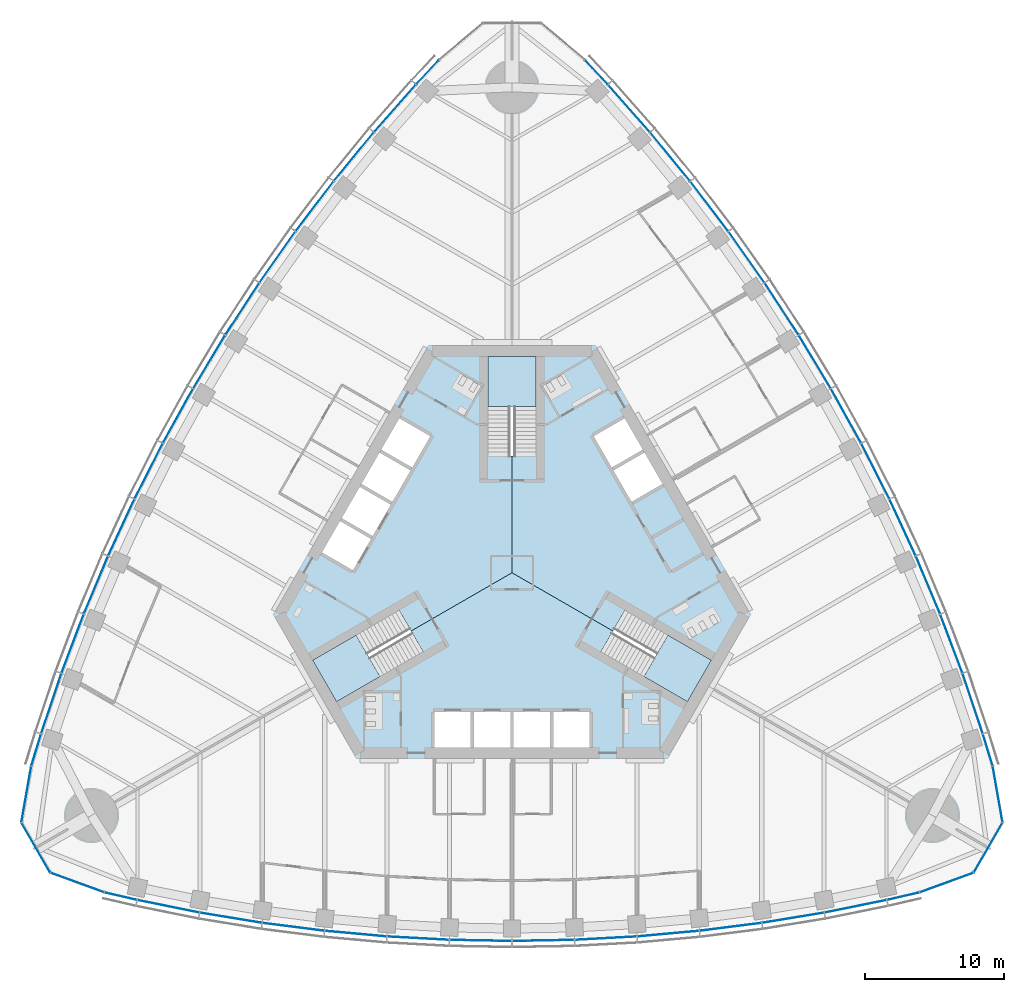
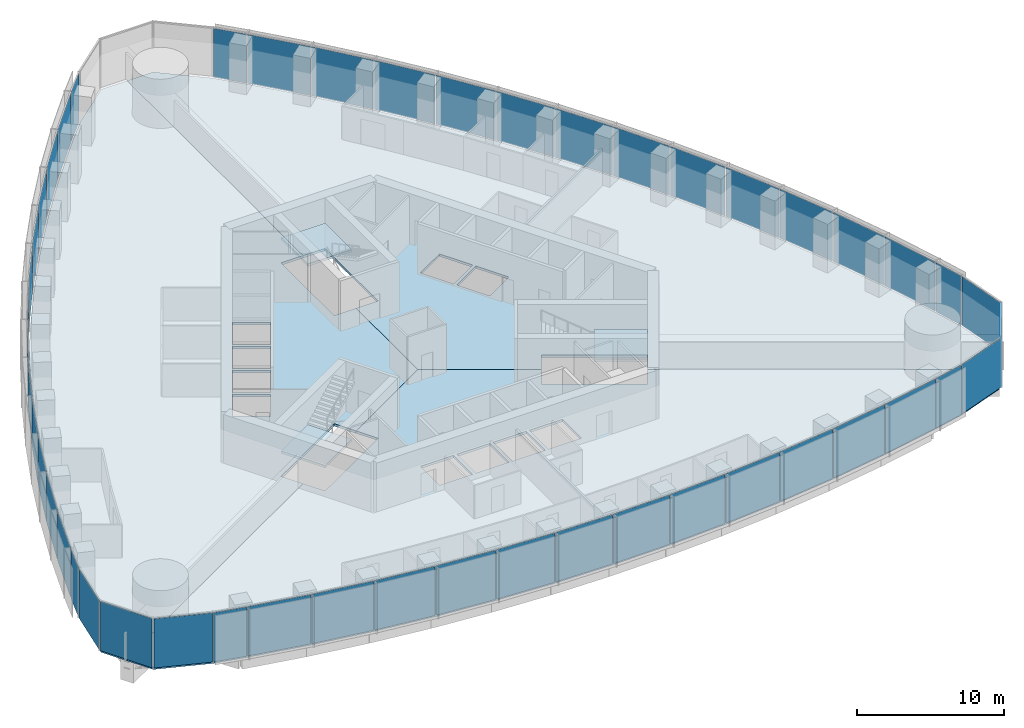
# One storey, part 10 of 19: 48 plates, 6 slabs, 8 elements without a shape of their own.
"""IFC4 building model written with IfcOpenShell, lengths in metres."""

from ifc_helpers import new_model, si_unit, direction, frame, origin, origin_2d, place, context, subcontext, project, spatial, polyline, rectangle, outline, extrude, material, layer, layer_set, type_object, element, aggregate, save


model = new_model("IFC4")

# Units and contexts
model_context = context("Model", 3, precision=1e-05, world=origin(), true_north=direction((0.0, 1.0)))
body_context = subcontext(model_context, "Body", "Model", "MODEL_VIEW")
ifc_project = project(units=[si_unit("LENGTHUNIT", "METRE"), si_unit("AREAUNIT", "SQUARE_METRE"), si_unit("VOLUMEUNIT", "CUBIC_METRE"), si_unit("PLANEANGLEUNIT", "RADIAN"), si_unit("MASSUNIT", "GRAM", prefix="KILO")], contexts=[model_context])

# Site, building, storey
site_placement = place(None, origin())
site = spatial("IfcSite", under=ifc_project, at=site_placement, CompositionType="ELEMENT")
building_placement = place(site_placement, origin())
building = spatial("IfcBuilding", under=site, at=building_placement, Name="Trefoil Bronze Tower", CompositionType="ELEMENT")
storey_placement = place(building_placement, frame((0.0, 0.0, 140.89990234375)))
storey = spatial("IfcBuildingStorey", under=building, at=storey_placement, Name="L32", CompositionType="ELEMENT", Elevation=140.89990234375)

# Curtain wall, plates
ifc_material_1 = material(Name="Tinted solar-control glass", Category="glass")
curtain_wall_type_1 = type_object("IfcCurtainWallType", Name="Bronze office curtain wall", PredefinedType="USERDEFINED", material=ifc_material_1)
curtain_wall_1_placement = place(storey_placement, origin())
curtain_wall_1 = element("IfcCurtainWall", 1, at=curtain_wall_1_placement, inside=storey, type_object=curtain_wall_type_1, Name="CW-A L32 F1", ObjectType="CURTAIN WALL", PredefinedType="USERDEFINED")
ifc_material_2 = material(Name="Tinted solar-control glass", Category="glass")
ifc_layer_1 = layer(ifc_material_2, 0.030029296875)
ifc_layer_set_1 = layer_set([ifc_layer_1], Name="Bronze office curtain wall glass panel")
plate_type_1 = type_object("IfcPlateType", Name="Bronze office curtain wall glass panel", PredefinedType="CURTAIN_PANEL", material=ifc_layer_set_1)
plate_1_placement = place(storey_placement, frame((-28.201416015625, -23.320068359375, 0.0), z_axis=(0.0, 0.0, 1.0), x_axis=(0.97420444715, -0.225667222151, 0.0)))
plate_1 = element("IfcPlate", 2, at=plate_1_placement, type_object=plate_type_1, Name="CW-A L32 F1 panel 1", PredefinedType="CURTAIN_PANEL", context=body_context, shape_type="SweptSolid", body=[
    extrude(rectangle(XDim=2.340087890625, YDim=0.030029296875, at=origin_2d()), origin(), (0.0, 0.0, 1.0), 4.080078125),
])
plate_2_placement = place(storey_placement, frame((-24.769775390625, -24.048828125, 0.0), z_axis=(0.0, 0.0, 1.0), x_axis=(0.980155155547, -0.198231861853, 0.0)))
plate_2 = element("IfcPlate", 3, at=plate_2_placement, type_object=plate_type_1, Name="CW-A L32 F1 panel 2", PredefinedType="CURTAIN_PANEL", context=body_context, shape_type="SweptSolid", body=[
    extrude(rectangle(XDim=4.51123046875, YDim=0.030029296875, at=origin_2d()), origin(), (0.0, 0.0, 1.0), 4.080078125),
])
plate_3_placement = place(storey_placement, frame((-20.26611328125, -24.87451171875, 0.0), z_axis=(0.0, 0.0, 1.0), x_axis=(0.986759655731, -0.162189339418, 0.0)))
plate_3 = element("IfcPlate", 4, at=plate_3_placement, type_object=plate_type_1, Name="CW-A L32 F1 panel 3", PredefinedType="CURTAIN_PANEL", context=body_context, shape_type="SweptSolid", body=[
    extrude(rectangle(XDim=4.48046875, YDim=0.030029296875, at=origin_2d()), origin(), (0.0, 0.0, 1.0), 4.080078125),
])
plate_4_placement = place(storey_placement, frame((-15.7626953125, -25.53076171875, 0.0), z_axis=(0.0, 0.0, 1.0), x_axis=(0.992011554286, -0.126147041833, 0.0)))
plate_4 = element("IfcPlate", 5, at=plate_4_placement, type_object=plate_type_1, Name="CW-A L32 F1 panel 4", PredefinedType="CURTAIN_PANEL", context=body_context, shape_type="SweptSolid", body=[
    extrude(rectangle(XDim=4.456298828125, YDim=0.030029296875, at=origin_2d()), origin(), (0.0, 0.0, 1.0), 4.080078125),
])
plate_5_placement = place(storey_placement, frame((-11.259033203125, -26.02099609375, 0.0), z_axis=(0.0, 0.0, 1.0), x_axis=(0.995932279146, -0.090104913044, 0.0)))
plate_5 = element("IfcPlate", 6, at=plate_5_placement, type_object=plate_type_1, Name="CW-A L32 F1 panel 5", PredefinedType="CURTAIN_PANEL", context=body_context, shape_type="SweptSolid", body=[
    extrude(rectangle(XDim=4.4384765625, YDim=0.030029296875, at=origin_2d()), origin(), (0.0, 0.0, 1.0), 4.080078125),
])
plate_6_placement = place(storey_placement, frame((-6.75537109375, -26.3466796875, 0.0), z_axis=(0.0, 0.0, 1.0), x_axis=(0.998537531923, -0.054062901701, 0.0)))
plate_6 = element("IfcPlate", 7, at=plate_6_placement, type_object=plate_type_1, Name="CW-A L32 F1 panel 6", PredefinedType="CURTAIN_PANEL", context=body_context, shape_type="SweptSolid", body=[
    extrude(rectangle(XDim=4.426513671875, YDim=0.030029296875, at=origin_2d()), origin(), (0.0, 0.0, 1.0), 4.080078125),
])
plate_7_placement = place(storey_placement, frame((-2.251708984375, -26.509033203125, 0.0), z_axis=(0.0, 0.0, 1.0), x_axis=(0.999837609322, -0.018020959612, 0.0)))
plate_7 = element("IfcPlate", 8, at=plate_7_placement, type_object=plate_type_1, Name="CW-A L32 F1 panel 7", PredefinedType="CURTAIN_PANEL", context=body_context, shape_type="SweptSolid", body=[
    extrude(rectangle(XDim=4.420654296875, YDim=0.030029296875, at=origin_2d()), origin(), (0.0, 0.0, 1.0), 4.080078125),
])
plate_8_placement = place(storey_placement, frame((2.251708984375, -26.509033203125, 0.0), z_axis=(0.0, 0.0, 1.0), x_axis=(0.999837609322, 0.018020959612, 0.0)))
plate_8 = element("IfcPlate", 9, at=plate_8_placement, type_object=plate_type_1, Name="CW-A L32 F1 panel 8", PredefinedType="CURTAIN_PANEL", context=body_context, shape_type="SweptSolid", body=[
    extrude(rectangle(XDim=4.420654296875, YDim=0.030029296875, at=origin_2d()), origin(), (0.0, 0.0, 1.0), 4.080078125),
])
plate_9_placement = place(storey_placement, frame((6.75537109375, -26.3466796875, 0.0), z_axis=(0.0, 0.0, 1.0), x_axis=(0.998537531923, 0.054062901701, 0.0)))
plate_9 = element("IfcPlate", 10, at=plate_9_placement, type_object=plate_type_1, Name="CW-A L32 F1 panel 9", PredefinedType="CURTAIN_PANEL", context=body_context, shape_type="SweptSolid", body=[
    extrude(rectangle(XDim=4.426513671875, YDim=0.030029296875, at=origin_2d()), origin(), (0.0, 0.0, 1.0), 4.080078125),
])
plate_10_placement = place(storey_placement, frame((11.259033203125, -26.02099609375, 0.0), z_axis=(0.0, 0.0, 1.0), x_axis=(0.995932279146, 0.090104913044, 0.0)))
plate_10 = element("IfcPlate", 11, at=plate_10_placement, type_object=plate_type_1, Name="CW-A L32 F1 panel 10", PredefinedType="CURTAIN_PANEL", context=body_context, shape_type="SweptSolid", body=[
    extrude(rectangle(XDim=4.4384765625, YDim=0.030029296875, at=origin_2d()), origin(), (0.0, 0.0, 1.0), 4.080078125),
])
plate_11_placement = place(storey_placement, frame((15.7626953125, -25.53076171875, 0.0), z_axis=(0.0, 0.0, 1.0), x_axis=(0.992011554286, 0.126147041833, 0.0)))
plate_11 = element("IfcPlate", 12, at=plate_11_placement, type_object=plate_type_1, Name="CW-A L32 F1 panel 11", PredefinedType="CURTAIN_PANEL", context=body_context, shape_type="SweptSolid", body=[
    extrude(rectangle(XDim=4.456298828125, YDim=0.030029296875, at=origin_2d()), origin(), (0.0, 0.0, 1.0), 4.080078125),
])
plate_12_placement = place(storey_placement, frame((20.26611328125, -24.87451171875, 0.0), z_axis=(0.0, 0.0, 1.0), x_axis=(0.986759655731, 0.162189339418, 0.0)))
plate_12 = element("IfcPlate", 13, at=plate_12_placement, type_object=plate_type_1, Name="CW-A L32 F1 panel 12", PredefinedType="CURTAIN_PANEL", context=body_context, shape_type="SweptSolid", body=[
    extrude(rectangle(XDim=4.48046875, YDim=0.030029296875, at=origin_2d()), origin(), (0.0, 0.0, 1.0), 4.080078125),
])
plate_13_placement = place(storey_placement, frame((24.769775390625, -24.048828125, 0.0), z_axis=(0.0, 0.0, 1.0), x_axis=(0.980155155547, 0.198231861853, 0.0)))
plate_13 = element("IfcPlate", 14, at=plate_13_placement, type_object=plate_type_1, Name="CW-A L32 F1 panel 13", PredefinedType="CURTAIN_PANEL", context=body_context, shape_type="SweptSolid", body=[
    extrude(rectangle(XDim=4.51123046875, YDim=0.030029296875, at=origin_2d()), origin(), (0.0, 0.0, 1.0), 4.080078125),
])
plate_14_placement = place(storey_placement, frame((28.201416015625, -23.320068359375, 0.0), z_axis=(0.0, 0.0, 1.0), x_axis=(0.97420444715, 0.225667222151, 0.0)))
plate_14 = element("IfcPlate", 15, at=plate_14_placement, type_object=plate_type_1, Name="CW-A L32 F1 panel 14", PredefinedType="CURTAIN_PANEL", context=body_context, shape_type="SweptSolid", body=[
    extrude(rectangle(XDim=2.340087890625, YDim=0.030029296875, at=origin_2d()), origin(), (0.0, 0.0, 1.0), 4.080078125),
])
aggregate(curtain_wall_1, [plate_1, plate_2, plate_3, plate_4, plate_5, plate_6, plate_7, plate_8, plate_9, plate_10, plate_11, plate_12, plate_13, plate_14])

curtain_wall_2_placement = place(storey_placement, origin())
curtain_wall_2 = element("IfcCurtainWall", 16, at=curtain_wall_2_placement, inside=storey, type_object=curtain_wall_type_1, Name="CW-A L32 F2", ObjectType="CURTAIN WALL", PredefinedType="USERDEFINED")
plate_15_placement = place(storey_placement, frame((34.296630859375, -12.762939453125, 0.0), z_axis=(0.0, 0.0, 1.0), x_axis=(-0.291668676391, 0.956519410787, 0.0)))
plate_15 = element("IfcPlate", 17, at=plate_15_placement, type_object=plate_type_1, Name="CW-A L32 F2 panel 1", PredefinedType="CURTAIN_PANEL", context=body_context, shape_type="SweptSolid", body=[
    extrude(rectangle(XDim=2.340087890625, YDim=0.030029296875, at=origin_2d()), origin(), (0.0, 0.0, 1.0), 4.080078125),
])
plate_16_placement = place(storey_placement, frame((33.2119140625, -9.4267578125, 0.0), z_axis=(0.0, 0.0, 1.0), x_axis=(-0.318403749569, 0.947955195281, 0.0)))
plate_16 = element("IfcPlate", 18, at=plate_16_placement, type_object=plate_type_1, Name="CW-A L32 F2 panel 2", PredefinedType="CURTAIN_PANEL", context=body_context, shape_type="SweptSolid", body=[
    extrude(rectangle(XDim=4.51123046875, YDim=0.030029296875, at=origin_2d()), origin(), (0.0, 0.0, 1.0), 4.080078125),
])
plate_17_placement = place(storey_placement, frame((31.675048828125, -5.11376953125, 0.0), z_axis=(0.0, 0.0, 1.0), x_axis=(-0.352919739707, 0.935653599002, 0.0)))
plate_17 = element("IfcPlate", 19, at=plate_17_placement, type_object=plate_type_1, Name="CW-A L32 F2 panel 3", PredefinedType="CURTAIN_PANEL", context=body_context, shape_type="SweptSolid", body=[
    extrude(rectangle(XDim=4.48046875, YDim=0.030029296875, at=origin_2d()), origin(), (0.0, 0.0, 1.0), 4.080078125),
])
plate_18_placement = place(storey_placement, frame((29.99169921875, -0.885498046875, 0.0), z_axis=(0.0, 0.0, 1.0), x_axis=(-0.386759234303, 0.922180727776, 0.0)))
plate_18 = element("IfcPlate", 20, at=plate_18_placement, type_object=plate_type_1, Name="CW-A L32 F2 panel 4", PredefinedType="CURTAIN_PANEL", context=body_context, shape_type="SweptSolid", body=[
    extrude(rectangle(XDim=4.456298828125, YDim=0.030029296875, at=origin_2d()), origin(), (0.0, 0.0, 1.0), 4.080078125),
])
plate_19_placement = place(storey_placement, frame((28.164306640625, 3.260009765625, 0.0), z_axis=(0.0, 0.0, 1.0), x_axis=(-0.419932995871, 0.907555110712, 0.0)))
plate_19 = element("IfcPlate", 21, at=plate_19_placement, type_object=plate_type_1, Name="CW-A L32 F2 panel 5", PredefinedType="CURTAIN_PANEL", context=body_context, shape_type="SweptSolid", body=[
    extrude(rectangle(XDim=4.4384765625, YDim=0.030029296875, at=origin_2d()), origin(), (0.0, 0.0, 1.0), 4.080078125),
])
plate_20_placement = place(storey_placement, frame((26.194580078125, 7.322998046875, 0.0), z_axis=(0.0, 0.0, 1.0), x_axis=(-0.452448919686, 0.891790320128, 0.0)))
plate_20 = element("IfcPlate", 22, at=plate_20_placement, type_object=plate_type_1, Name="CW-A L32 F2 panel 6", PredefinedType="CURTAIN_PANEL", context=body_context, shape_type="SweptSolid", body=[
    extrude(rectangle(XDim=4.426513671875, YDim=0.030029296875, at=origin_2d()), origin(), (0.0, 0.0, 1.0), 4.080078125),
])
plate_21_placement = place(storey_placement, frame((24.08349609375, 11.304443359375, 0.0), z_axis=(0.0, 0.0, 1.0), x_axis=(-0.484312195836, 0.874895249138, 0.0)))
plate_21 = element("IfcPlate", 23, at=plate_21_placement, type_object=plate_type_1, Name="CW-A L32 F2 panel 7", PredefinedType="CURTAIN_PANEL", context=body_context, shape_type="SweptSolid", body=[
    extrude(rectangle(XDim=4.420654296875, YDim=0.030029296875, at=origin_2d()), origin(), (0.0, 0.0, 1.0), 4.080078125),
])
plate_22_placement = place(storey_placement, frame((21.83154296875, 15.20458984375, 0.0), z_axis=(0.0, 0.0, 1.0), x_axis=(-0.515525413486, 0.856874289526, 0.0)))
plate_22 = element("IfcPlate", 24, at=plate_22_placement, type_object=plate_type_1, Name="CW-A L32 F2 panel 8", PredefinedType="CURTAIN_PANEL", context=body_context, shape_type="SweptSolid", body=[
    extrude(rectangle(XDim=4.420654296875, YDim=0.030029296875, at=origin_2d()), origin(), (0.0, 0.0, 1.0), 4.080078125),
])
plate_23_placement = place(storey_placement, frame((19.439208984375, 19.023681640625, 0.0), z_axis=(0.0, 0.0, 1.0), x_axis=(-0.546088612237, 0.837727418427, 0.0)))
plate_23 = element("IfcPlate", 25, at=plate_23_placement, type_object=plate_type_1, Name="CW-A L32 F2 panel 9", PredefinedType="CURTAIN_PANEL", context=body_context, shape_type="SweptSolid", body=[
    extrude(rectangle(XDim=4.426513671875, YDim=0.030029296875, at=origin_2d()), origin(), (0.0, 0.0, 1.0), 4.080078125),
])
plate_24_placement = place(storey_placement, frame((16.9052734375, 22.760986328125, 0.0), z_axis=(0.0, 0.0, 1.0), x_axis=(-0.575999283275, 0.817450197667, 0.0)))
plate_24 = element("IfcPlate", 26, at=plate_24_placement, type_object=plate_type_1, Name="CW-A L32 F2 panel 10", PredefinedType="CURTAIN_PANEL", context=body_context, shape_type="SweptSolid", body=[
    extrude(rectangle(XDim=4.4384765625, YDim=0.030029296875, at=origin_2d()), origin(), (0.0, 0.0, 1.0), 4.080078125),
])
plate_25_placement = place(storey_placement, frame((14.22900390625, 26.416259765625, 0.0), z_axis=(0.0, 0.0, 1.0), x_axis=(-0.605252319983, 0.796033685943, 0.0)))
plate_25 = element("IfcPlate", 27, at=plate_25_placement, type_object=plate_type_1, Name="CW-A L32 F2 panel 11", PredefinedType="CURTAIN_PANEL", context=body_context, shape_type="SweptSolid", body=[
    extrude(rectangle(XDim=4.456298828125, YDim=0.030029296875, at=origin_2d()), origin(), (0.0, 0.0, 1.0), 4.080078125),
])
plate_26_placement = place(storey_placement, frame((11.40869140625, 29.98828125, 0.0), z_axis=(0.0, 0.0, 1.0), x_axis=(-0.633839916024, 0.773464259584, 0.0)))
plate_26 = element("IfcPlate", 28, at=plate_26_placement, type_object=plate_type_1, Name="CW-A L32 F2 panel 12", PredefinedType="CURTAIN_PANEL", context=body_context, shape_type="SweptSolid", body=[
    extrude(rectangle(XDim=4.48046875, YDim=0.030029296875, at=origin_2d()), origin(), (0.0, 0.0, 1.0), 4.080078125),
])
plate_27_placement = place(storey_placement, frame((8.442138671875, 33.475830078125, 0.0), z_axis=(0.0, 0.0, 1.0), x_axis=(-0.661751405978, 0.749723333428, 0.0)))
plate_27 = element("IfcPlate", 29, at=plate_27_placement, type_object=plate_type_1, Name="CW-A L32 F2 panel 13", PredefinedType="CURTAIN_PANEL", context=body_context, shape_type="SweptSolid", body=[
    extrude(rectangle(XDim=4.51123046875, YDim=0.030029296875, at=origin_2d()), origin(), (0.0, 0.0, 1.0), 4.080078125),
])
plate_28_placement = place(storey_placement, frame((6.09521484375, 36.083251953125, 0.0), z_axis=(0.0, 0.0, 1.0), x_axis=(-0.682535770759, 0.730852188636, 0.0)))
plate_28 = element("IfcPlate", 30, at=plate_28_placement, type_object=plate_type_1, Name="CW-A L32 F2 panel 14", PredefinedType="CURTAIN_PANEL", context=body_context, shape_type="SweptSolid", body=[
    extrude(rectangle(XDim=2.340087890625, YDim=0.030029296875, at=origin_2d()), origin(), (0.0, 0.0, 1.0), 4.080078125),
])
aggregate(curtain_wall_2, [plate_15, plate_16, plate_17, plate_18, plate_19, plate_20, plate_21, plate_22, plate_23, plate_24, plate_25, plate_26, plate_27, plate_28])

curtain_wall_3_placement = place(storey_placement, origin())
curtain_wall_3 = element("IfcCurtainWall", 31, at=curtain_wall_3_placement, inside=storey, type_object=curtain_wall_type_1, Name="CW-A L32 F3", ObjectType="CURTAIN WALL", PredefinedType="USERDEFINED")
plate_29_placement = place(storey_placement, frame((-6.09521484375, 36.083251953125, 0.0), z_axis=(0.0, 0.0, 1.0), x_axis=(-0.682535770759, -0.730852188636, 0.0)))
plate_29 = element("IfcPlate", 32, at=plate_29_placement, type_object=plate_type_1, Name="CW-A L32 F3 panel 1", PredefinedType="CURTAIN_PANEL", context=body_context, shape_type="SweptSolid", body=[
    extrude(rectangle(XDim=2.340087890625, YDim=0.030029296875, at=origin_2d()), origin(), (0.0, 0.0, 1.0), 4.080078125),
])
plate_30_placement = place(storey_placement, frame((-8.442138671875, 33.475830078125, 0.0), z_axis=(0.0, 0.0, 1.0), x_axis=(-0.661751405978, -0.749723333428, 0.0)))
plate_30 = element("IfcPlate", 33, at=plate_30_placement, type_object=plate_type_1, Name="CW-A L32 F3 panel 2", PredefinedType="CURTAIN_PANEL", context=body_context, shape_type="SweptSolid", body=[
    extrude(rectangle(XDim=4.51123046875, YDim=0.030029296875, at=origin_2d()), origin(), (0.0, 0.0, 1.0), 4.080078125),
])
plate_31_placement = place(storey_placement, frame((-11.40869140625, 29.98828125, 0.0), z_axis=(0.0, 0.0, 1.0), x_axis=(-0.633839916024, -0.773464259584, 0.0)))
plate_31 = element("IfcPlate", 34, at=plate_31_placement, type_object=plate_type_1, Name="CW-A L32 F3 panel 3", PredefinedType="CURTAIN_PANEL", context=body_context, shape_type="SweptSolid", body=[
    extrude(rectangle(XDim=4.48046875, YDim=0.030029296875, at=origin_2d()), origin(), (0.0, 0.0, 1.0), 4.080078125),
])
plate_32_placement = place(storey_placement, frame((-14.22900390625, 26.416259765625, 0.0), z_axis=(0.0, 0.0, 1.0), x_axis=(-0.605252319983, -0.796033685943, 0.0)))
plate_32 = element("IfcPlate", 35, at=plate_32_placement, type_object=plate_type_1, Name="CW-A L32 F3 panel 4", PredefinedType="CURTAIN_PANEL", context=body_context, shape_type="SweptSolid", body=[
    extrude(rectangle(XDim=4.456298828125, YDim=0.030029296875, at=origin_2d()), origin(), (0.0, 0.0, 1.0), 4.080078125),
])
plate_33_placement = place(storey_placement, frame((-16.9052734375, 22.760986328125, 0.0), z_axis=(0.0, 0.0, 1.0), x_axis=(-0.575999283275, -0.817450197667, 0.0)))
plate_33 = element("IfcPlate", 36, at=plate_33_placement, type_object=plate_type_1, Name="CW-A L32 F3 panel 5", PredefinedType="CURTAIN_PANEL", context=body_context, shape_type="SweptSolid", body=[
    extrude(rectangle(XDim=4.4384765625, YDim=0.030029296875, at=origin_2d()), origin(), (0.0, 0.0, 1.0), 4.080078125),
])
plate_34_placement = place(storey_placement, frame((-19.439208984375, 19.023681640625, 0.0), z_axis=(0.0, 0.0, 1.0), x_axis=(-0.546088612237, -0.837727418427, 0.0)))
plate_34 = element("IfcPlate", 37, at=plate_34_placement, type_object=plate_type_1, Name="CW-A L32 F3 panel 6", PredefinedType="CURTAIN_PANEL", context=body_context, shape_type="SweptSolid", body=[
    extrude(rectangle(XDim=4.426513671875, YDim=0.030029296875, at=origin_2d()), origin(), (0.0, 0.0, 1.0), 4.080078125),
])
plate_35_placement = place(storey_placement, frame((-21.83154296875, 15.20458984375, 0.0), z_axis=(0.0, 0.0, 1.0), x_axis=(-0.515525413486, -0.856874289526, 0.0)))
plate_35 = element("IfcPlate", 38, at=plate_35_placement, type_object=plate_type_1, Name="CW-A L32 F3 panel 7", PredefinedType="CURTAIN_PANEL", context=body_context, shape_type="SweptSolid", body=[
    extrude(rectangle(XDim=4.420654296875, YDim=0.030029296875, at=origin_2d()), origin(), (0.0, 0.0, 1.0), 4.080078125),
])
plate_36_placement = place(storey_placement, frame((-24.08349609375, 11.304443359375, 0.0), z_axis=(0.0, 0.0, 1.0), x_axis=(-0.484312195836, -0.874895249138, 0.0)))
plate_36 = element("IfcPlate", 39, at=plate_36_placement, type_object=plate_type_1, Name="CW-A L32 F3 panel 8", PredefinedType="CURTAIN_PANEL", context=body_context, shape_type="SweptSolid", body=[
    extrude(rectangle(XDim=4.420654296875, YDim=0.030029296875, at=origin_2d()), origin(), (0.0, 0.0, 1.0), 4.080078125),
])
plate_37_placement = place(storey_placement, frame((-26.194580078125, 7.322998046875, 0.0), z_axis=(0.0, 0.0, 1.0), x_axis=(-0.452448919686, -0.891790320128, 0.0)))
plate_37 = element("IfcPlate", 40, at=plate_37_placement, type_object=plate_type_1, Name="CW-A L32 F3 panel 9", PredefinedType="CURTAIN_PANEL", context=body_context, shape_type="SweptSolid", body=[
    extrude(rectangle(XDim=4.426513671875, YDim=0.030029296875, at=origin_2d()), origin(), (0.0, 0.0, 1.0), 4.080078125),
])
plate_38_placement = place(storey_placement, frame((-28.164306640625, 3.260009765625, 0.0), z_axis=(0.0, 0.0, 1.0), x_axis=(-0.419932995871, -0.907555110712, 0.0)))
plate_38 = element("IfcPlate", 41, at=plate_38_placement, type_object=plate_type_1, Name="CW-A L32 F3 panel 10", PredefinedType="CURTAIN_PANEL", context=body_context, shape_type="SweptSolid", body=[
    extrude(rectangle(XDim=4.4384765625, YDim=0.030029296875, at=origin_2d()), origin(), (0.0, 0.0, 1.0), 4.080078125),
])
plate_39_placement = place(storey_placement, frame((-29.99169921875, -0.885498046875, 0.0), z_axis=(0.0, 0.0, 1.0), x_axis=(-0.386759234303, -0.922180727776, 0.0)))
plate_39 = element("IfcPlate", 42, at=plate_39_placement, type_object=plate_type_1, Name="CW-A L32 F3 panel 11", PredefinedType="CURTAIN_PANEL", context=body_context, shape_type="SweptSolid", body=[
    extrude(rectangle(XDim=4.456298828125, YDim=0.030029296875, at=origin_2d()), origin(), (0.0, 0.0, 1.0), 4.080078125),
])
plate_40_placement = place(storey_placement, frame((-31.675048828125, -5.11376953125, 0.0), z_axis=(0.0, 0.0, 1.0), x_axis=(-0.352919739707, -0.935653599002, 0.0)))
plate_40 = element("IfcPlate", 43, at=plate_40_placement, type_object=plate_type_1, Name="CW-A L32 F3 panel 12", PredefinedType="CURTAIN_PANEL", context=body_context, shape_type="SweptSolid", body=[
    extrude(rectangle(XDim=4.48046875, YDim=0.030029296875, at=origin_2d()), origin(), (0.0, 0.0, 1.0), 4.080078125),
])
plate_41_placement = place(storey_placement, frame((-33.2119140625, -9.4267578125, 0.0), z_axis=(0.0, 0.0, 1.0), x_axis=(-0.318403749569, -0.947955195281, 0.0)))
plate_41 = element("IfcPlate", 44, at=plate_41_placement, type_object=plate_type_1, Name="CW-A L32 F3 panel 13", PredefinedType="CURTAIN_PANEL", context=body_context, shape_type="SweptSolid", body=[
    extrude(rectangle(XDim=4.51123046875, YDim=0.030029296875, at=origin_2d()), origin(), (0.0, 0.0, 1.0), 4.080078125),
])
plate_42_placement = place(storey_placement, frame((-34.296630859375, -12.762939453125, 0.0), z_axis=(0.0, 0.0, 1.0), x_axis=(-0.291668676391, -0.956519410787, 0.0)))
plate_42 = element("IfcPlate", 45, at=plate_42_placement, type_object=plate_type_1, Name="CW-A L32 F3 panel 14", PredefinedType="CURTAIN_PANEL", context=body_context, shape_type="SweptSolid", body=[
    extrude(rectangle(XDim=2.340087890625, YDim=0.030029296875, at=origin_2d()), origin(), (0.0, 0.0, 1.0), 4.080078125),
])
aggregate(curtain_wall_3, [plate_29, plate_30, plate_31, plate_32, plate_33, plate_34, plate_35, plate_36, plate_37, plate_38, plate_39, plate_40, plate_41, plate_42])

ifc_material_3 = material(Name="Tinted solar-control glass", Category="glass")
curtain_wall_type_2 = type_object("IfcCurtainWallType", Name="Bronze rounded corner curtain wall", PredefinedType="USERDEFINED", material=ifc_material_3)
curtain_wall_4_placement = place(storey_placement, origin())
curtain_wall_4 = element("IfcCurtainWall", 46, at=curtain_wall_4_placement, inside=storey, type_object=curtain_wall_type_2, Name="CW-B L32 K1", ObjectType="CURTAIN WALL", PredefinedType="USERDEFINED")
ifc_material_4 = material(Name="Tinted solar-control glass", Category="glass")
ifc_layer_2 = layer(ifc_material_4, 0.030029296875)
ifc_layer_set_2 = layer_set([ifc_layer_2], Name="Bronze rounded corner curtain wall glass panel")
plate_type_2 = type_object("IfcPlateType", Name="Bronze rounded corner curtain wall glass panel", PredefinedType="CURTAIN_PANEL", material=ifc_layer_set_2)
plate_43_placement = place(storey_placement, frame((31.3203125, -22.341796875, 0.0), z_axis=(0.0, 0.0, 1.0), x_axis=(0.939692620786, 0.342020143326, 0.0)))
plate_43 = element("IfcPlate", 47, at=plate_43_placement, type_object=plate_type_2, Name="CW-B L32 K1 panel 1", PredefinedType="CURTAIN_PANEL", context=body_context, shape_type="SweptSolid", body=[
    extrude(rectangle(XDim=4.044189453125, YDim=0.030029296875, at=origin_2d()), origin(), (0.0, 0.0, 1.0), 4.080078125),
])
plate_44_placement = place(storey_placement, frame((34.3271484375, -19.81884765625, 0.0), z_axis=(0.0, 0.0, 1.0), x_axis=(0.5, 0.866025403784, 0.0)))
plate_44 = element("IfcPlate", 48, at=plate_44_placement, type_object=plate_type_2, Name="CW-B L32 K1 panel 2", PredefinedType="CURTAIN_PANEL", context=body_context, shape_type="SweptSolid", body=[
    extrude(rectangle(XDim=4.044189453125, YDim=0.030029296875, at=origin_2d()), origin(), (0.0, 0.0, 1.0), 4.080078125),
])
plate_45_placement = place(storey_placement, frame((35.0087890625, -15.953369140625, 0.0), z_axis=(0.0, 0.0, 1.0), x_axis=(-0.173648177667, 0.984807753012, 0.0)))
plate_45 = element("IfcPlate", 49, at=plate_45_placement, type_object=plate_type_2, Name="CW-B L32 K1 panel 3", PredefinedType="CURTAIN_PANEL", context=body_context, shape_type="SweptSolid", body=[
    extrude(rectangle(XDim=4.044189453125, YDim=0.030029296875, at=origin_2d()), origin(), (0.0, 0.0, 1.0), 4.080078125),
])
aggregate(curtain_wall_4, [plate_43, plate_44, plate_45])

curtain_wall_5_placement = place(storey_placement, origin())
curtain_wall_5 = element("IfcCurtainWall", 50, at=curtain_wall_5_placement, inside=storey, type_object=curtain_wall_type_2, Name="CW-B L32 K3", ObjectType="CURTAIN WALL", PredefinedType="USERDEFINED")
plate_46_placement = place(storey_placement, frame((-35.0087890625, -15.953369140625, 0.0), z_axis=(0.0, 0.0, 1.0), x_axis=(-0.173648177667, -0.984807753012, 0.0)))
plate_46 = element("IfcPlate", 51, at=plate_46_placement, type_object=plate_type_2, Name="CW-B L32 K3 panel 1", PredefinedType="CURTAIN_PANEL", context=body_context, shape_type="SweptSolid", body=[
    extrude(rectangle(XDim=4.044189453125, YDim=0.030029296875, at=origin_2d()), origin(), (0.0, 0.0, 1.0), 4.080078125),
])
plate_47_placement = place(storey_placement, frame((-34.3271484375, -19.81884765625, 0.0), z_axis=(0.0, 0.0, 1.0), x_axis=(0.5, -0.866025403784, 0.0)))
plate_47 = element("IfcPlate", 52, at=plate_47_placement, type_object=plate_type_2, Name="CW-B L32 K3 panel 2", PredefinedType="CURTAIN_PANEL", context=body_context, shape_type="SweptSolid", body=[
    extrude(rectangle(XDim=4.044189453125, YDim=0.030029296875, at=origin_2d()), origin(), (0.0, 0.0, 1.0), 4.080078125),
])
plate_48_placement = place(storey_placement, frame((-31.3203125, -22.341796875, 0.0), z_axis=(0.0, 0.0, 1.0), x_axis=(0.939692620786, -0.342020143326, 0.0)))
plate_48 = element("IfcPlate", 53, at=plate_48_placement, type_object=plate_type_2, Name="CW-B L32 K3 panel 3", PredefinedType="CURTAIN_PANEL", context=body_context, shape_type="SweptSolid", body=[
    extrude(rectangle(XDim=4.044189453125, YDim=0.030029296875, at=origin_2d()), origin(), (0.0, 0.0, 1.0), 4.080078125),
])
aggregate(curtain_wall_5, [plate_46, plate_47, plate_48])

# Slabs
ifc_material_5 = material(Name="Concrete B30", Category="concrete")
ifc_layer_3 = layer(ifc_material_5, 0.199951171875)
ifc_layer_set_3 = layer_set([ifc_layer_3], Name="Floor slab 200")
slab_type_1 = type_object("IfcSlabType", Name="Floor slab 200", PredefinedType="FLOOR", material=ifc_layer_set_3)
slab_1_placement = place(storey_placement, frame((0.0, 0.0, -0.199951171875)))
element("IfcSlab", 54, at=slab_1_placement, inside=storey, type_object=slab_type_1, Name="Floor slab L32 face 1", PredefinedType="FLOOR", context=body_context, shape_type="SweptSolid", body=[
    extrude(outline(polyline([(22.5, -24.406005859375), (18.0, -25.1455078125), (13.5, -25.7177734375), (9.0, -26.125), (4.5, -26.36865234375), (0.0, -26.44970703125), (-4.5, -26.36865234375), (-9.0, -26.125), (-13.5, -25.7177734375), (-18.0, -25.1455078125), (-22.5, -24.406005859375), (-27.0, -23.495849609375), (-29.357666015625, -22.94970703125), (-33.21435546875, -21.5458984375), (-34.240478515625, -19.768798828125), (-13.510009765625, -7.800048828125), (-12.6474609375, -9.2939453125), (-6.412109375, -5.69384765625), (-7.274658203125, -4.199951171875), (0.0, 0.0), (7.274658203125, -4.199951171875), (6.412109375, -5.69384765625), (12.6474609375, -9.2939453125), (13.510009765625, -7.800048828125), (34.240478515625, -19.768798828125), (33.21435546875, -21.5458984375), (29.357666015625, -22.94970703125), (27.0, -23.495849609375), (22.5, -24.406005859375)]), holes=[polyline([(-5.574951171875, -10.02490234375), (-2.97509765625, -10.02490234375), (-2.97509765625, -12.60009765625), (-5.574951171875, -12.60009765625), (-5.574951171875, -10.02490234375)]), polyline([(-2.72509765625, -10.02490234375), (-0.125, -10.02490234375), (-0.125, -12.60009765625), (-2.72509765625, -12.60009765625), (-2.72509765625, -10.02490234375)]), polyline([(0.125, -10.02490234375), (2.72509765625, -10.02490234375), (2.72509765625, -12.60009765625), (0.125, -12.60009765625), (0.125, -10.02490234375)]), polyline([(2.97509765625, -10.02490234375), (5.574951171875, -10.02490234375), (5.574951171875, -12.60009765625), (2.97509765625, -12.60009765625), (2.97509765625, -10.02490234375)])]), origin(), (0.0, 0.0, 1.0), 0.199951171875),
])
slab_2_placement = place(storey_placement, frame((0.0, 0.0, -0.199951171875)))
element("IfcSlab", 55, at=slab_2_placement, inside=storey, type_object=slab_type_1, Name="Floor slab L32 face 2", PredefinedType="FLOOR", context=body_context, shape_type="SweptSolid", body=[
    extrude(outline(polyline([(9.88623046875, 31.6884765625), (12.776611328125, 28.1611328125), (15.522216796875, 24.55029296875), (18.124755859375, 20.856689453125), (20.5859375, 17.081298828125), (22.906005859375, 13.224853515625), (25.0859375, 9.287109375), (27.124755859375, 5.268310546875), (29.022216796875, 1.16748046875), (30.776611328125, -3.015625), (32.38623046875, -7.28271484375), (33.847900390625, -11.634765625), (34.553955078125, -13.94970703125), (35.2666015625, -17.991455078125), (34.240478515625, -19.768798828125), (13.510009765625, -7.800048828125), (14.37255859375, -6.30615234375), (8.13720703125, -2.7060546875), (7.274658203125, -4.199951171875), (0.0, 0.0), (0.0, 8.39990234375), (1.72509765625, 8.39990234375), (1.72509765625, 15.60009765625), (0.0, 15.60009765625), (0.0, 39.53759765625), (2.052001953125, 39.53759765625), (5.196044921875, 36.8994140625), (6.847900390625, 35.130615234375), (9.88623046875, 31.6884765625)]), holes=[polyline([(8.619384765625, 5.120849609375), (7.3193359375, 7.372314453125), (9.54931640625, 8.659912109375), (10.849365234375, 6.408203125), (8.619384765625, 5.120849609375)]), polyline([(7.1943359375, 7.5888671875), (5.894287109375, 9.840576171875), (8.12451171875, 11.128173828125), (9.42431640625, 8.87646484375), (7.1943359375, 7.5888671875)])]), origin(), (0.0, 0.0, 1.0), 0.199951171875),
])
slab_3_placement = place(storey_placement, frame((0.0, 0.0, -0.199951171875)))
element("IfcSlab", 56, at=slab_3_placement, inside=storey, type_object=slab_type_1, Name="Floor slab L32 face 3", PredefinedType="FLOOR", context=body_context, shape_type="SweptSolid", body=[
    extrude(outline(polyline([(-32.38623046875, -7.28271484375), (-30.776611328125, -3.015625), (-29.022216796875, 1.16748046875), (-27.124755859375, 5.268310546875), (-25.0859375, 9.287109375), (-22.906005859375, 13.224853515625), (-20.5859375, 17.081298828125), (-18.124755859375, 20.856689453125), (-15.522216796875, 24.55029296875), (-12.776611328125, 28.1611328125), (-9.88623046875, 31.6884765625), (-6.847900390625, 35.130615234375), (-5.196044921875, 36.8994140625), (-2.052001953125, 39.53759765625), (0.0, 39.53759765625), (0.0, 15.60009765625), (-1.72509765625, 15.60009765625), (-1.72509765625, 8.39990234375), (0.0, 8.39990234375), (0.0, 0.0), (-7.274658203125, -4.199951171875), (-8.13720703125, -2.7060546875), (-14.37255859375, -6.30615234375), (-13.510009765625, -7.800048828125), (-34.240478515625, -19.768798828125), (-35.2666015625, -17.991455078125), (-34.553955078125, -13.94970703125), (-33.847900390625, -11.634765625), (-32.38623046875, -7.28271484375)]), holes=[polyline([(-5.894287109375, 9.840576171875), (-7.1943359375, 7.5888671875), (-9.42431640625, 8.87646484375), (-8.12451171875, 11.128173828125), (-5.894287109375, 9.840576171875)]), polyline([(-7.3193359375, 7.372314453125), (-8.619384765625, 5.120849609375), (-10.849365234375, 6.408203125), (-9.54931640625, 8.659912109375), (-7.3193359375, 7.372314453125)]), polyline([(-8.744384765625, 4.904296875), (-10.04443359375, 2.652587890625), (-12.2744140625, 3.940185546875), (-10.974365234375, 6.191650390625), (-8.744384765625, 4.904296875)]), polyline([(-10.16943359375, 2.43603515625), (-11.469482421875, 0.184326171875), (-13.699462890625, 1.471923828125), (-12.3994140625, 3.7236328125), (-10.16943359375, 2.43603515625)])]), origin(), (0.0, 0.0, 1.0), 0.199951171875),
])

# Stair, slab
ifc_material_6 = material(Name="Precast concrete B80", Category="concrete")
stair_type = type_object("IfcStairType", Name="Exit stair 26 risers", PredefinedType="HALF_TURN_STAIR", material=ifc_material_6)
stair_1_placement = place(storey_placement, origin())
stair_1 = element("IfcStair", 57, at=stair_1_placement, inside=storey, type_object=stair_type, Name="Stair ST1 L32", PredefinedType="HALF_TURN_STAIR")
ifc_material_7 = material(Name="Concrete B30", Category="concrete")
ifc_layer_4 = layer(ifc_material_7, 0.199951171875)
ifc_layer_set_4 = layer_set([ifc_layer_4], Name="Stair landing 200")
slab_type_2 = type_object("IfcSlabType", Name="Stair landing 200", PredefinedType="LANDING", material=ifc_layer_set_4)
slab_4_placement = place(storey_placement, frame((0.0, 0.0, 1.900146484375)))
slab_4 = element("IfcSlab", 58, at=slab_4_placement, type_object=slab_type_2, Name="ST1 landing 1", PredefinedType="LANDING", context=body_context, shape_type="SweptSolid", body=[
    extrude(outline(polyline([(9.512451171875, -7.48388671875), (12.6474609375, -9.2939453125), (14.37255859375, -6.30615234375), (11.237548828125, -4.49609375), (9.512451171875, -7.48388671875)])), origin(), (0.0, 0.0, 1.0), 0.199951171875),
])
aggregate(stair_1, [slab_4])

stair_2_placement = place(storey_placement, origin())
stair_2 = element("IfcStair", 59, at=stair_2_placement, inside=storey, type_object=stair_type, Name="Stair ST2 L32", PredefinedType="HALF_TURN_STAIR")
slab_5_placement = place(storey_placement, frame((0.0, 0.0, 1.900146484375)))
slab_5 = element("IfcSlab", 60, at=slab_5_placement, type_object=slab_type_2, Name="ST2 landing 1", PredefinedType="LANDING", context=body_context, shape_type="SweptSolid", body=[
    extrude(outline(polyline([(1.72509765625, 11.97998046875), (1.72509765625, 15.60009765625), (-1.72509765625, 15.60009765625), (-1.72509765625, 11.97998046875), (1.72509765625, 11.97998046875)])), origin(), (0.0, 0.0, 1.0), 0.199951171875),
])
aggregate(stair_2, [slab_5])

stair_3_placement = place(storey_placement, origin())
stair_3 = element("IfcStair", 61, at=stair_3_placement, inside=storey, type_object=stair_type, Name="Stair ST3 L32", PredefinedType="HALF_TURN_STAIR")
slab_6_placement = place(storey_placement, frame((0.0, 0.0, 1.900146484375)))
slab_6 = element("IfcSlab", 62, at=slab_6_placement, type_object=slab_type_2, Name="ST3 landing 1", PredefinedType="LANDING", context=body_context, shape_type="SweptSolid", body=[
    extrude(outline(polyline([(-11.237548828125, -4.49609375), (-14.37255859375, -6.30615234375), (-12.6474609375, -9.2939453125), (-9.512451171875, -7.48388671875), (-11.237548828125, -4.49609375)])), origin(), (0.0, 0.0, 1.0), 0.199951171875),
])
aggregate(stair_3, [slab_6])

save(model, "model.ifc")
